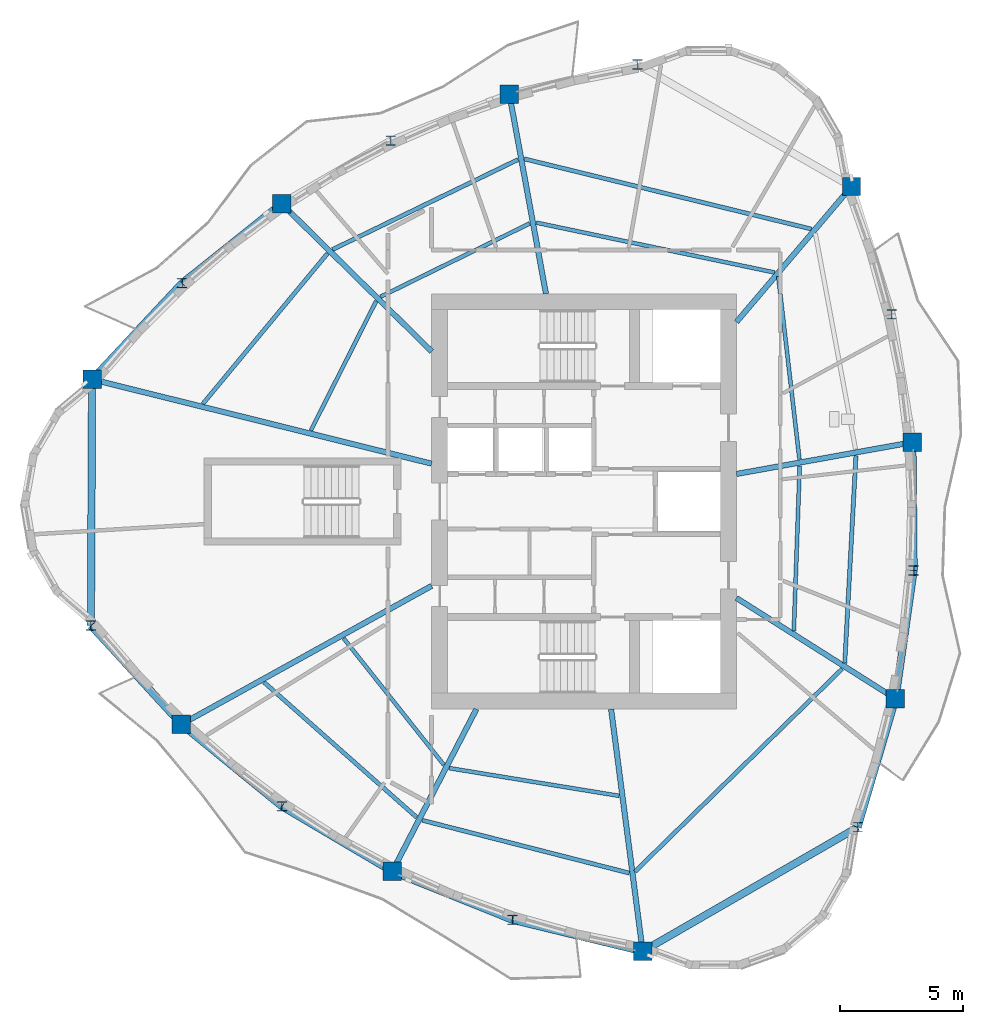
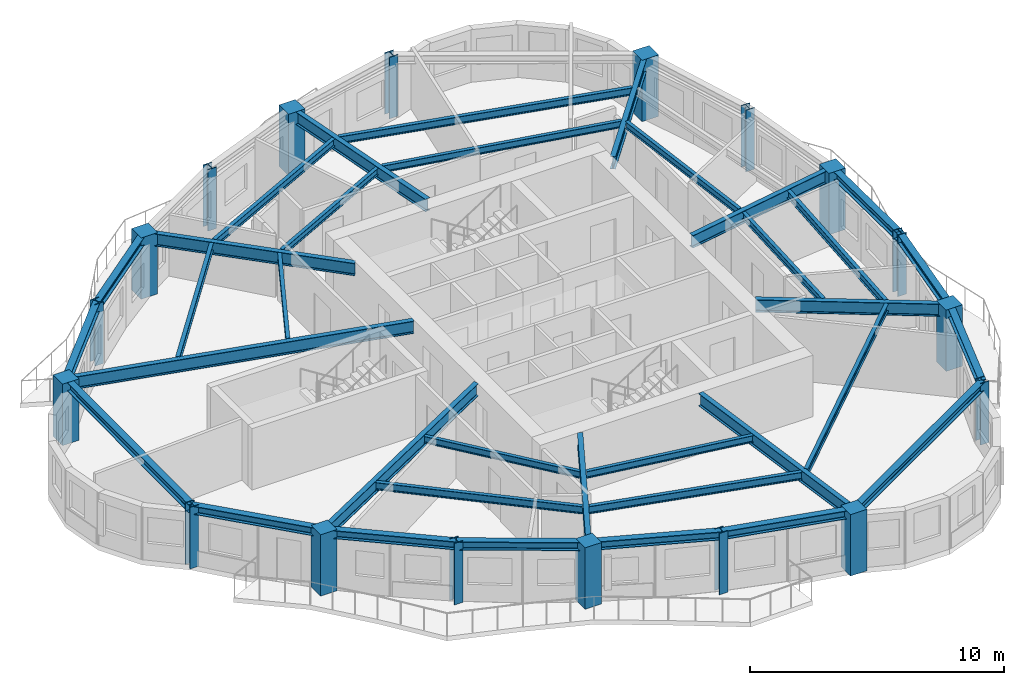
# One storey, part 1 of 12: 35 beams, 18 columns.
"""IFC4 building model written with IfcOpenShell, lengths in metres."""

from ifc_helpers import new_model, si_unit, direction, frame, origin, origin_2d, place, context, subcontext, project, spatial, rectangle, i_section, extrude, source, transform, mapped, material, material_profile, profile_set, type_object, element, save


model = new_model("IFC4")

# Units and contexts
model_context = context("Model", 3, precision=1e-05, world=origin(), true_north=direction((0.0, 1.0)))
body_context = subcontext(model_context, "Body", "Model", "MODEL_VIEW")
ifc_project = project(units=[si_unit("LENGTHUNIT", "METRE"), si_unit("AREAUNIT", "SQUARE_METRE"), si_unit("VOLUMEUNIT", "CUBIC_METRE"), si_unit("PLANEANGLEUNIT", "RADIAN"), si_unit("MASSUNIT", "GRAM", prefix="KILO")], contexts=[model_context])

# Site, building, storey
site_placement = place(None, origin())
site = spatial("IfcSite", under=ifc_project, at=site_placement, CompositionType="ELEMENT")
building_placement = place(site_placement, origin())
building = spatial("IfcBuilding", under=site, at=building_placement, Name="Qafzar Sky-Pleat Residences", CompositionType="ELEMENT")
storey_placement = place(building_placement, frame((0.0, 0.0, 181.0)))
storey = spatial("IfcBuildingStorey", under=building, at=storey_placement, Name="L54", CompositionType="ELEMENT", Elevation=181.0)

# Columns
ifc_material_1 = material(Name="Concrete C60/75", Category="concrete")
ifc_material_profile_1 = material_profile(ifc_material_1, rectangle(XDim=0.75, YDim=0.75, at=origin_2d()), Name="RC 750x750")
ifc_profile_set_1 = profile_set([ifc_material_profile_1], Name="Concrete C60/75")
column_type_1 = type_object("IfcColumnType", Name="COL-RC-750", PredefinedType="COLUMN", material=ifc_profile_set_1)
shared_shape_1 = source(origin(), body_context, "Body", "SweptSolid", [
    extrude(rectangle(XDim=0.75, YDim=0.75, at=origin_2d()), origin(), (0.0, 0.0, 1.0), 2.949951171875),
])
for number, where, z_axis, x_axis, name in (
    (1, (10.338134765625, 30.967041015625, 0.0), (0.0, 0.0, 1.0), (1.0, 0.0, 0.0), "L54 Perimeter Mega Column 1"),
    (2, (13.97265625, 16.934814453125, 0.0), (0.0, 0.0, 1.0), (1.0, 0.0, 0.0), "L54 Perimeter Mega Column 3"),
    (3, (22.547607421875, 10.951904296875, 0.0), (0.0, 0.0, 1.0), (1.0, 0.0, 0.0), "L54 Perimeter Mega Column 5"),
    (4, (32.734130859375, 7.698486328125, 0.0), (0.0, 0.0, 1.0), (1.0, 0.0, 0.0), "L54 Perimeter Mega Column 7"),
    (5, (43.0166015625, 17.977294921875, 0.0), (0.0, 0.0, 1.0), (1.0, 0.0, 0.0), "L54 Perimeter Mega Column 9"),
    (6, (43.70751953125, 28.410400390625, 0.0), (0.0, 0.0, 1.0), (1.0, 0.0, 0.0), "L54 Perimeter Mega Column 11"),
    (7, (41.22900390625, 38.8125, 0.0), (0.0, 0.0, 1.0), (1.0, 0.0, 0.0), "L54 Perimeter Mega Column 13"),
    (8, (27.312255859375, 42.56591796875, 0.0), (0.0, 0.0, 1.0), (1.0, 0.0, 0.0), "L54 Perimeter Mega Column 15"),
    (9, (18.046142578125, 38.11572265625, 0.0), (0.0, 0.0, 1.0), (1.0, 0.0, 0.0), "L54 Perimeter Mega Column 17"),
):
    element("IfcColumn", number, at=place(storey_placement, frame(where, z_axis=z_axis, x_axis=x_axis)), inside=storey, type_object=column_type_1, Name=name, PredefinedType="COLUMN", context=body_context, shape_type="MappedRepresentation", body=[
        mapped(shared_shape_1, transform((0.0, 0.0, 0.0), x_axis=(1.0, 0.0, 0.0), y_axis=(0.0, 1.0, 0.0), z_axis=(0.0, 0.0, 1.0), scale=1.0)),
    ])
ifc_material_2 = material(Name="Steel S355", Category="steel")
ifc_material_profile_2 = material_profile(ifc_material_2, i_section(OverallWidth=0.40087890625, OverallDepth=0.39892578125, WebThickness=0.02294921875, FlangeThickness=0.035888671875, FilletRadius=0.014892578125, at=origin_2d()), Name="HD 400x314")
ifc_profile_set_2 = profile_set([ifc_material_profile_2], Name="Steel S355")
column_type_2 = type_object("IfcColumnType", Name="COL-STL-HD314", PredefinedType="PILASTER", material=ifc_profile_set_2)
shared_shape_2 = source(origin(), body_context, "Body", "SweptSolid", [
    extrude(i_section(OverallWidth=0.40087890625, OverallDepth=0.39892578125, WebThickness=0.02294921875, FlangeThickness=0.035888671875, FilletRadius=0.014892578125, at=origin_2d()), origin(), (0.0, 0.0, 1.0), 2.949951171875),
])
for number, where, z_axis, x_axis, name in (
    (10, (10.289306640625, 20.94970703125, 0.0), (0.0, 0.0, 1.0), (1.0, 0.0, 0.0), "L54 Perimeter Mega Column 2"),
    (11, (18.058837890625, 13.60205078125, 0.0), (0.0, 0.0, 1.0), (1.0, 0.0, 0.0), "L54 Perimeter Mega Column 4"),
    (12, (27.439453125, 8.98388671875, 0.0), (0.0, 0.0, 1.0), (1.0, 0.0, 0.0), "L54 Perimeter Mega Column 6"),
    (13, (41.482666015625, 12.749267578125, 0.0), (0.0, 0.0, 1.0), (1.0, 0.0, 0.0), "L54 Perimeter Mega Column 8"),
    (14, (43.75830078125, 23.19775390625, 0.0), (0.0, 0.0, 1.0), (1.0, 0.0, 0.0), "L54 Perimeter Mega Column 10"),
    (15, (42.864501953125, 33.615478515625, 0.0), (0.0, 0.0, 1.0), (1.0, 0.0, 0.0), "L54 Perimeter Mega Column 12"),
    (16, (32.529296875, 43.779052734375, 0.0), (0.0, 0.0, 1.0), (1.0, 0.0, 0.0), "L54 Perimeter Mega Column 14"),
    (17, (22.484375, 40.677978515625, 0.0), (0.0, 0.0, 1.0), (1.0, 0.0, 0.0), "L54 Perimeter Mega Column 16"),
    (18, (13.997314453125, 34.878662109375, 0.0), (0.0, 0.0, 1.0), (1.0, 0.0, 0.0), "L54 Perimeter Mega Column 18"),
):
    element("IfcColumn", number, at=place(storey_placement, frame(where, z_axis=z_axis, x_axis=x_axis)), inside=storey, type_object=column_type_2, Name=name, PredefinedType="PILASTER", context=body_context, shape_type="MappedRepresentation", body=[
        mapped(shared_shape_2, transform((0.0, 0.0, 0.0), x_axis=(1.0, 0.0, 0.0), y_axis=(0.0, 1.0, 0.0), z_axis=(0.0, 0.0, 1.0), scale=1.0)),
    ])

# Beams
ifc_material_profile_3 = material_profile(ifc_material_2, i_section(OverallWidth=0.159912109375, OverallDepth=0.330078125, WebThickness=0.007568359375, FlangeThickness=0.011474609375, FilletRadius=0.01806640625, at=origin_2d()), Name="IPE 330")
ifc_profile_set_3 = profile_set([ifc_material_profile_3], Name="Steel S355")
beam_type_1 = type_object("IfcBeamType", Name="BM-JST-IPE330", PredefinedType="JOIST", material=ifc_profile_set_3)
shared_shape_3 = source(origin(), body_context, "Body", "SweptSolid", [
    extrude(i_section(OverallWidth=0.159912109375, OverallDepth=0.330078125, WebThickness=0.007568359375, FlangeThickness=0.011474609375, FilletRadius=0.01806640625, at=origin_2d()), origin(), (0.0, 0.0, 1.0), 9.91552734375),
])
beam_1_placement = place(storey_placement, frame((38.102294921875, 35.3134765625, 2.782958984375), z_axis=(-0.978807385502, 0.204783061032, 0.0), x_axis=(-0.204783061032, -0.978807385502, 0.0)))
element("IfcBeam", 19, at=beam_1_placement, inside=storey, type_object=beam_type_1, Name="L54 Inner Secondary Floor Joist 7", PredefinedType="JOIST", context=body_context, shape_type="MappedRepresentation", body=[
    mapped(shared_shape_3, transform((0.0, 0.0, 0.0), x_axis=(1.0, 0.0, 0.0), y_axis=(0.0, 1.0, 0.0), z_axis=(0.0, 0.0, 1.0), scale=1.0)),
])
ifc_material_profile_4 = material_profile(ifc_material_2, i_section(OverallWidth=0.300048828125, OverallDepth=0.39990234375, WebThickness=0.013427734375, FlangeThickness=0.02392578125, FilletRadius=0.027099609375, at=origin_2d()), Name="HEB 400")
ifc_profile_set_4 = profile_set([ifc_material_profile_4], Name="Steel S355")
beam_type_2 = type_object("IfcBeamType", Name="BM-SPAN-HEB400", PredefinedType="SPANDREL", material=ifc_profile_set_4)
shared_shape_4 = source(origin(), body_context, "Body", "SweptSolid", [
    extrude(i_section(OverallWidth=0.300048828125, OverallDepth=0.39990234375, WebThickness=0.013427734375, FlangeThickness=0.02392578125, FilletRadius=0.027099609375, at=origin_2d()), origin(), (0.0, 0.0, 1.0), 10.017333984375),
])
beam_2_placement = place(storey_placement, frame((10.338134765625, 30.967041015625, 2.748046875), z_axis=(-0.004874305381, -0.999988120503, 0.0), x_axis=(0.999988120503, -0.004874305381, 0.0)))
element("IfcBeam", 20, at=beam_2_placement, inside=storey, type_object=beam_type_2, Name="L54 Perimeter Spandrel Beam 1", PredefinedType="SPANDREL", context=body_context, shape_type="MappedRepresentation", body=[
    mapped(shared_shape_4, transform((0.0, 0.0, 0.0), x_axis=(1.0, 0.0, 0.0), y_axis=(0.0, 1.0, 0.0), z_axis=(0.0, 0.0, 1.0), scale=1.0)),
])
shared_shape_5 = source(origin(), body_context, "Body", "SweptSolid", [
    extrude(i_section(OverallWidth=0.300048828125, OverallDepth=0.39990234375, WebThickness=0.013427734375, FlangeThickness=0.02392578125, FilletRadius=0.027099609375, at=origin_2d()), origin(), (0.0, 0.0, 1.0), 5.448486328125),
])
for number, where, z_axis, x_axis, name in (
    (21, (10.289306640625, 20.94970703125, 2.748046875), (0.67602690272, -0.736876941422, 0.0), (0.736876941422, 0.67602690272, 0.0), "L54 Perimeter Spandrel Beam 2"),
    (22, (27.439453125, 8.98388671875, 2.748046875), (0.971772638207, -0.235919349848, 0.0), (0.235919349848, 0.971772638207, 0.0), "L54 Perimeter Spandrel Beam 6"),
    (23, (41.482666015625, 12.749267578125, 2.748046875), (0.281537931885, 0.959550099218, 0.0), (-0.959550099218, 0.281537931885, 0.0), "L54 Perimeter Spandrel Beam 8"),
):
    element("IfcBeam", number, at=place(storey_placement, frame(where, z_axis=z_axis, x_axis=x_axis)), inside=storey, type_object=beam_type_2, Name=name, PredefinedType="SPANDREL", context=body_context, shape_type="MappedRepresentation", body=[
        mapped(shared_shape_5, transform((0.0, 0.0, 0.0), x_axis=(1.0, 0.0, 0.0), y_axis=(0.0, 1.0, 0.0), z_axis=(0.0, 0.0, 1.0), scale=1.0)),
    ])
shared_shape_6 = source(origin(), body_context, "Body", "SweptSolid", [
    extrude(i_section(OverallWidth=0.300048828125, OverallDepth=0.39990234375, WebThickness=0.013427734375, FlangeThickness=0.02392578125, FilletRadius=0.027099609375, at=origin_2d()), origin(), (0.0, 0.0, 1.0), 5.27294921875),
])
for number, where, z_axis, x_axis, name in (
    (24, (13.97265625, 16.934814453125, 2.748046875), (0.774930068273, -0.632046983449, 0.0), (0.632046983449, 0.774930068273, 0.0), "L54 Perimeter Spandrel Beam 3"),
    (25, (22.547607421875, 10.951904296875, 2.748046875), (0.927737233532, -0.373234009058, 0.0), (0.373234009058, 0.927737233532, 0.0), "L54 Perimeter Spandrel Beam 5"),
    (26, (43.0166015625, 17.977294921875, 2.748046875), (0.140662901854, 0.990057547844, 0.0), (-0.990057547844, 0.140662901854, 0.0), "L54 Perimeter Spandrel Beam 9"),
):
    element("IfcBeam", number, at=place(storey_placement, frame(where, z_axis=z_axis, x_axis=x_axis)), inside=storey, type_object=beam_type_2, Name=name, PredefinedType="SPANDREL", context=body_context, shape_type="MappedRepresentation", body=[
        mapped(shared_shape_6, transform((0.0, 0.0, 0.0), x_axis=(1.0, 0.0, 0.0), y_axis=(0.0, 1.0, 0.0), z_axis=(0.0, 0.0, 1.0), scale=1.0)),
    ])
shared_shape_7 = source(origin(), body_context, "Body", "SweptSolid", [
    extrude(i_section(OverallWidth=0.300048828125, OverallDepth=0.39990234375, WebThickness=0.013427734375, FlangeThickness=0.02392578125, FilletRadius=0.027099609375, at=origin_2d()), origin(), (0.0, 0.0, 1.0), 5.212646484375),
])
beam_3_placement = place(storey_placement, frame((18.058837890625, 13.60205078125, 2.748046875), z_axis=(0.861120406877, -0.508401066934, 0.0), x_axis=(0.508401066934, 0.861120406877, 0.0)))
element("IfcBeam", 27, at=beam_3_placement, inside=storey, type_object=beam_type_2, Name="L54 Perimeter Spandrel Beam 4", PredefinedType="SPANDREL", context=body_context, shape_type="MappedRepresentation", body=[
    mapped(shared_shape_7, transform((0.0, 0.0, 0.0), x_axis=(1.0, 0.0, 0.0), y_axis=(0.0, 1.0, 0.0), z_axis=(0.0, 0.0, 1.0), scale=1.0)),
])
shared_shape_8 = source(origin(), body_context, "Body", "SweptSolid", [
    extrude(i_section(OverallWidth=0.300048828125, OverallDepth=0.39990234375, WebThickness=0.013427734375, FlangeThickness=0.02392578125, FilletRadius=0.027099609375, at=origin_2d()), origin(), (0.0, 0.0, 1.0), 10.101806640625),
])
beam_4_placement = place(storey_placement, frame((32.734130859375, 7.698486328125, 2.748046875), z_axis=(0.866033456987, 0.499986051185, 0.0), x_axis=(-0.499986051185, 0.866033456987, 0.0)))
element("IfcBeam", 28, at=beam_4_placement, inside=storey, type_object=beam_type_2, Name="L54 Perimeter Spandrel Beam 7", PredefinedType="SPANDREL", context=body_context, shape_type="MappedRepresentation", body=[
    mapped(shared_shape_8, transform((0.0, 0.0, 0.0), x_axis=(1.0, 0.0, 0.0), y_axis=(0.0, 1.0, 0.0), z_axis=(0.0, 0.0, 1.0), scale=1.0)),
])
shared_shape_9 = source(origin(), body_context, "Body", "SweptSolid", [
    extrude(i_section(OverallWidth=0.300048828125, OverallDepth=0.39990234375, WebThickness=0.013427734375, FlangeThickness=0.02392578125, FilletRadius=0.027099609375, at=origin_2d()), origin(), (0.0, 0.0, 1.0), 5.212890625),
])
beam_5_placement = place(storey_placement, frame((43.75830078125, 23.19775390625, 2.748046875), z_axis=(-0.009741470215, 0.999952550753, 0.0), x_axis=(-0.999952550753, -0.009741470215, 0.0)))
element("IfcBeam", 29, at=beam_5_placement, inside=storey, type_object=beam_type_2, Name="L54 Perimeter Spandrel Beam 10", PredefinedType="SPANDREL", context=body_context, shape_type="MappedRepresentation", body=[
    mapped(shared_shape_9, transform((0.0, 0.0, 0.0), x_axis=(1.0, 0.0, 0.0), y_axis=(0.0, 1.0, 0.0), z_axis=(0.0, 0.0, 1.0), scale=1.0)),
])
shared_shape_10 = source(origin(), body_context, "Body", "SweptSolid", [
    extrude(i_section(OverallWidth=0.300048828125, OverallDepth=0.39990234375, WebThickness=0.013427734375, FlangeThickness=0.02392578125, FilletRadius=0.027099609375, at=origin_2d()), origin(), (0.0, 0.0, 1.0), 5.183837890625),
])
beam_6_placement = place(storey_placement, frame((18.046142578125, 38.11572265625, 2.748046875), z_axis=(-0.78105716206, -0.624459533994, 0.0), x_axis=(0.624459533994, -0.78105716206, 0.0)))
element("IfcBeam", 30, at=beam_6_placement, inside=storey, type_object=beam_type_2, Name="L54 Perimeter Spandrel Beam 17", PredefinedType="SPANDREL", context=body_context, shape_type="MappedRepresentation", body=[
    mapped(shared_shape_10, transform((0.0, 0.0, 0.0), x_axis=(1.0, 0.0, 0.0), y_axis=(0.0, 1.0, 0.0), z_axis=(0.0, 0.0, 1.0), scale=1.0)),
])
shared_shape_11 = source(origin(), body_context, "Body", "SweptSolid", [
    extrude(i_section(OverallWidth=0.300048828125, OverallDepth=0.39990234375, WebThickness=0.013427734375, FlangeThickness=0.02392578125, FilletRadius=0.027099609375, at=origin_2d()), origin(), (0.0, 0.0, 1.0), 5.3564453125),
])
beam_7_placement = place(storey_placement, frame((13.997314453125, 34.878662109375, 2.748046875), z_axis=(-0.683149287603, -0.730278748731, 0.0), x_axis=(0.730278748731, -0.683149287603, 0.0)))
element("IfcBeam", 31, at=beam_7_placement, inside=storey, type_object=beam_type_2, Name="L54 Perimeter Spandrel Beam 18", PredefinedType="SPANDREL", context=body_context, shape_type="MappedRepresentation", body=[
    mapped(shared_shape_11, transform((0.0, 0.0, 0.0), x_axis=(1.0, 0.0, 0.0), y_axis=(0.0, 1.0, 0.0), z_axis=(0.0, 0.0, 1.0), scale=1.0)),
])
ifc_material_profile_5 = material_profile(ifc_material_2, i_section(OverallWidth=0.219970703125, OverallDepth=0.60009765625, WebThickness=0.011962890625, FlangeThickness=0.01904296875, FilletRadius=0.02392578125, at=origin_2d()), Name="IPE 600")
ifc_profile_set_5 = profile_set([ifc_material_profile_5], Name="Steel S355")
beam_type_3 = type_object("IfcBeamType", Name="BM-SEC-IPE600", PredefinedType="BEAM", material=ifc_profile_set_5)
shared_shape_12 = source(origin(), body_context, "Body", "SweptSolid", [
    extrude(i_section(OverallWidth=0.219970703125, OverallDepth=0.60009765625, WebThickness=0.011962890625, FlangeThickness=0.01904296875, FilletRadius=0.02392578125, at=origin_2d()), origin(), (0.0, 0.0, 1.0), 14.23095703125),
])
beam_8_placement = place(storey_placement, frame((10.338134765625, 30.967041015625, 2.64794921875), z_axis=(0.970549832167, -0.240900442672, 0.0), x_axis=(0.240900442672, 0.970549832167, 0.0)))
element("IfcBeam", 32, at=beam_8_placement, inside=storey, type_object=beam_type_3, Name="L54 Radial Floor Girder 1", PredefinedType="BEAM", context=body_context, shape_type="MappedRepresentation", body=[
    mapped(shared_shape_12, transform((0.0, 0.0, 0.0), x_axis=(1.0, 0.0, 0.0), y_axis=(0.0, 1.0, 0.0), z_axis=(0.0, 0.0, 1.0), scale=1.0)),
])
shared_shape_13 = source(origin(), body_context, "Body", "SweptSolid", [
    extrude(i_section(OverallWidth=0.219970703125, OverallDepth=0.60009765625, WebThickness=0.011962890625, FlangeThickness=0.01904296875, FilletRadius=0.02392578125, at=origin_2d()), origin(), (0.0, 0.0, 1.0), 11.63232421875),
])
beam_9_placement = place(storey_placement, frame((13.97265625, 16.934814453125, 2.64794921875), z_axis=(0.874912581808, 0.484280883573, 0.0), x_axis=(-0.484280883573, 0.874912581808, 0.0)))
element("IfcBeam", 33, at=beam_9_placement, inside=storey, type_object=beam_type_3, Name="L54 Radial Floor Girder 3", PredefinedType="BEAM", context=body_context, shape_type="MappedRepresentation", body=[
    mapped(shared_shape_13, transform((0.0, 0.0, 0.0), x_axis=(1.0, 0.0, 0.0), y_axis=(0.0, 1.0, 0.0), z_axis=(0.0, 0.0, 1.0), scale=1.0)),
])
shared_shape_14 = source(origin(), body_context, "Body", "SweptSolid", [
    extrude(i_section(OverallWidth=0.219970703125, OverallDepth=0.60009765625, WebThickness=0.011962890625, FlangeThickness=0.01904296875, FilletRadius=0.02392578125, at=origin_2d()), origin(), (0.0, 0.0, 1.0), 7.432373046875),
])
beam_10_placement = place(storey_placement, frame((22.547607421875, 10.951904296875, 2.64794921875), z_axis=(0.460304699772, 0.887760994507, 0.0), x_axis=(-0.887760994507, 0.460304699772, 0.0)))
element("IfcBeam", 34, at=beam_10_placement, inside=storey, type_object=beam_type_3, Name="L54 Radial Floor Girder 5", PredefinedType="BEAM", context=body_context, shape_type="MappedRepresentation", body=[
    mapped(shared_shape_14, transform((0.0, 0.0, 0.0), x_axis=(1.0, 0.0, 0.0), y_axis=(0.0, 1.0, 0.0), z_axis=(0.0, 0.0, 1.0), scale=1.0)),
])
shared_shape_15 = source(origin(), body_context, "Body", "SweptSolid", [
    extrude(i_section(OverallWidth=0.219970703125, OverallDepth=0.60009765625, WebThickness=0.011962890625, FlangeThickness=0.01904296875, FilletRadius=0.02392578125, at=origin_2d()), origin(), (0.0, 0.0, 1.0), 9.934814453125),
])
beam_11_placement = place(storey_placement, frame((32.734130859375, 7.698486328125, 2.64794921875), z_axis=(-0.129186849577, 0.991620269002, 0.0), x_axis=(-0.991620269002, -0.129186849577, 0.0)))
element("IfcBeam", 35, at=beam_11_placement, inside=storey, type_object=beam_type_3, Name="L54 Radial Floor Girder 7", PredefinedType="BEAM", context=body_context, shape_type="MappedRepresentation", body=[
    mapped(shared_shape_15, transform((0.0, 0.0, 0.0), x_axis=(1.0, 0.0, 0.0), y_axis=(0.0, 1.0, 0.0), z_axis=(0.0, 0.0, 1.0), scale=1.0)),
])
shared_shape_16 = source(origin(), body_context, "Body", "SweptSolid", [
    extrude(i_section(OverallWidth=0.219970703125, OverallDepth=0.60009765625, WebThickness=0.011962890625, FlangeThickness=0.01904296875, FilletRadius=0.02392578125, at=origin_2d()), origin(), (0.0, 0.0, 1.0), 7.654541015625),
])
beam_12_placement = place(storey_placement, frame((43.0166015625, 17.977294921875, 2.64794921875), z_axis=(-0.844806099733, 0.535072568774, 0.0), x_axis=(-0.535072568774, -0.844806099733, 0.0)))
element("IfcBeam", 36, at=beam_12_placement, inside=storey, type_object=beam_type_3, Name="L54 Radial Floor Girder 9", PredefinedType="BEAM", context=body_context, shape_type="MappedRepresentation", body=[
    mapped(shared_shape_16, transform((0.0, 0.0, 0.0), x_axis=(1.0, 0.0, 0.0), y_axis=(0.0, 1.0, 0.0), z_axis=(0.0, 0.0, 1.0), scale=1.0)),
])
shared_shape_17 = source(origin(), body_context, "Body", "SweptSolid", [
    extrude(i_section(OverallWidth=0.219970703125, OverallDepth=0.60009765625, WebThickness=0.011962890625, FlangeThickness=0.01904296875, FilletRadius=0.02392578125, at=origin_2d()), origin(), (0.0, 0.0, 1.0), 7.27294921875),
])
beam_13_placement = place(storey_placement, frame((43.70751953125, 28.410400390625, 2.64794921875), z_axis=(-0.984107501628, -0.177573717761, 0.0), x_axis=(0.177573717761, -0.984107501628, 0.0)))
element("IfcBeam", 37, at=beam_13_placement, inside=storey, type_object=beam_type_3, Name="L54 Radial Floor Girder 11", PredefinedType="BEAM", context=body_context, shape_type="MappedRepresentation", body=[
    mapped(shared_shape_17, transform((0.0, 0.0, 0.0), x_axis=(1.0, 0.0, 0.0), y_axis=(0.0, 1.0, 0.0), z_axis=(0.0, 0.0, 1.0), scale=1.0)),
])
shared_shape_18 = source(origin(), body_context, "Body", "SweptSolid", [
    extrude(i_section(OverallWidth=0.219970703125, OverallDepth=0.60009765625, WebThickness=0.011962890625, FlangeThickness=0.01904296875, FilletRadius=0.02392578125, at=origin_2d()), origin(), (0.0, 0.0, 1.0), 7.22900390625),
])
beam_14_placement = place(storey_placement, frame((41.22900390625, 38.8125, 2.64794921875), z_axis=(-0.64724933582, -0.762278359447, 0.0), x_axis=(0.762278359447, -0.64724933582, 0.0)))
element("IfcBeam", 38, at=beam_14_placement, inside=storey, type_object=beam_type_3, Name="L54 Radial Floor Girder 13", PredefinedType="BEAM", context=body_context, shape_type="MappedRepresentation", body=[
    mapped(shared_shape_18, transform((0.0, 0.0, 0.0), x_axis=(1.0, 0.0, 0.0), y_axis=(0.0, 1.0, 0.0), z_axis=(0.0, 0.0, 1.0), scale=1.0)),
])
shared_shape_19 = source(origin(), body_context, "Body", "SweptSolid", [
    extrude(i_section(OverallWidth=0.219970703125, OverallDepth=0.60009765625, WebThickness=0.011962890625, FlangeThickness=0.01904296875, FilletRadius=0.02392578125, at=origin_2d()), origin(), (0.0, 0.0, 1.0), 8.251220703125),
])
beam_15_placement = place(storey_placement, frame((27.312255859375, 42.56591796875, 2.64794921875), z_axis=(0.180369376393, -0.983598946756, 0.0), x_axis=(0.983598946756, 0.180369376393, 0.0)))
element("IfcBeam", 39, at=beam_15_placement, inside=storey, type_object=beam_type_3, Name="L54 Radial Floor Girder 15", PredefinedType="BEAM", context=body_context, shape_type="MappedRepresentation", body=[
    mapped(shared_shape_19, transform((0.0, 0.0, 0.0), x_axis=(1.0, 0.0, 0.0), y_axis=(0.0, 1.0, 0.0), z_axis=(0.0, 0.0, 1.0), scale=1.0)),
])
shared_shape_20 = source(origin(), body_context, "Body", "SweptSolid", [
    extrude(i_section(OverallWidth=0.219970703125, OverallDepth=0.60009765625, WebThickness=0.011962890625, FlangeThickness=0.01904296875, FilletRadius=0.02392578125, at=origin_2d()), origin(), (0.0, 0.0, 1.0), 8.56640625),
])
beam_16_placement = place(storey_placement, frame((18.046142578125, 38.11572265625, 2.64794921875), z_axis=(0.712529334431, -0.701642321682, 0.0), x_axis=(0.701642321682, 0.712529334431, 0.0)))
element("IfcBeam", 40, at=beam_16_placement, inside=storey, type_object=beam_type_3, Name="L54 Radial Floor Girder 17", PredefinedType="BEAM", context=body_context, shape_type="MappedRepresentation", body=[
    mapped(shared_shape_20, transform((0.0, 0.0, 0.0), x_axis=(1.0, 0.0, 0.0), y_axis=(0.0, 1.0, 0.0), z_axis=(0.0, 0.0, 1.0), scale=1.0)),
])
ifc_material_profile_6 = material_profile(ifc_material_2, i_section(OverallWidth=0.169921875, OverallDepth=0.360107421875, WebThickness=0.008056640625, FlangeThickness=0.0126953125, FilletRadius=0.01806640625, at=origin_2d()), Name="IPE 360")
ifc_profile_set_6 = profile_set([ifc_material_profile_6], Name="Steel S355")
beam_type_4 = type_object("IfcBeamType", Name="BM-JST-IPE360", PredefinedType="JOIST", material=ifc_profile_set_6)
shared_shape_21 = source(origin(), body_context, "Body", "SweptSolid", [
    extrude(i_section(OverallWidth=0.169921875, OverallDepth=0.360107421875, WebThickness=0.008056640625, FlangeThickness=0.0126953125, FilletRadius=0.01806640625, at=origin_2d()), origin(), (0.0, 0.0, 1.0), 8.29296875),
])
beam_17_placement = place(storey_placement, frame((17.33056640625, 18.64794921875, 2.76806640625), z_axis=(0.748919574139, -0.662660902327, 0.0), x_axis=(0.662660902327, 0.748919574139, 0.0)))
element("IfcBeam", 41, at=beam_17_placement, inside=storey, type_object=beam_type_4, Name="L54 Outer Secondary Floor Joist 2", PredefinedType="JOIST", context=body_context, shape_type="MappedRepresentation", body=[
    mapped(shared_shape_21, transform((0.0, 0.0, 0.0), x_axis=(1.0, 0.0, 0.0), y_axis=(0.0, 1.0, 0.0), z_axis=(0.0, 0.0, 1.0), scale=1.0)),
])
shared_shape_22 = source(origin(), body_context, "Body", "SweptSolid", [
    extrude(i_section(OverallWidth=0.169921875, OverallDepth=0.360107421875, WebThickness=0.008056640625, FlangeThickness=0.0126953125, FilletRadius=0.01806640625, at=origin_2d()), origin(), (0.0, 0.0, 1.0), 8.6884765625),
])
beam_18_placement = place(storey_placement, frame((23.773193359375, 13.030029296875, 2.76806640625), z_axis=(0.969024952428, -0.246962834393, 0.0), x_axis=(0.246962834393, 0.969024952428, 0.0)))
element("IfcBeam", 42, at=beam_18_placement, inside=storey, type_object=beam_type_4, Name="L54 Outer Secondary Floor Joist 3", PredefinedType="JOIST", context=body_context, shape_type="MappedRepresentation", body=[
    mapped(shared_shape_22, transform((0.0, 0.0, 0.0), x_axis=(1.0, 0.0, 0.0), y_axis=(0.0, 1.0, 0.0), z_axis=(0.0, 0.0, 1.0), scale=1.0)),
])
shared_shape_23 = source(origin(), body_context, "Body", "SweptSolid", [
    extrude(i_section(OverallWidth=0.169921875, OverallDepth=0.360107421875, WebThickness=0.008056640625, FlangeThickness=0.0126953125, FilletRadius=0.01806640625, at=origin_2d()), origin(), (0.0, 0.0, 1.0), 11.79443359375),
])
beam_19_placement = place(storey_placement, frame((32.419921875, 10.9453125, 2.76806640625), z_axis=(0.714795784642, 0.699333244067, 0.0), x_axis=(-0.699333244067, 0.714795784642, 0.0)))
element("IfcBeam", 43, at=beam_19_placement, inside=storey, type_object=beam_type_4, Name="L54 Outer Secondary Floor Joist 4", PredefinedType="JOIST", context=body_context, shape_type="MappedRepresentation", body=[
    mapped(shared_shape_23, transform((0.0, 0.0, 0.0), x_axis=(1.0, 0.0, 0.0), y_axis=(0.0, 1.0, 0.0), z_axis=(0.0, 0.0, 1.0), scale=1.0)),
])
shared_shape_24 = source(origin(), body_context, "Body", "SweptSolid", [
    extrude(i_section(OverallWidth=0.169921875, OverallDepth=0.360107421875, WebThickness=0.008056640625, FlangeThickness=0.0126953125, FilletRadius=0.01806640625, at=origin_2d()), origin(), (0.0, 0.0, 1.0), 8.45166015625),
])
beam_20_placement = place(storey_placement, frame((40.95458984375, 19.4228515625, 2.76806640625), z_axis=(0.053873281943, 0.998547780275, 0.0), x_axis=(-0.998547780275, 0.053873281943, 0.0)))
element("IfcBeam", 44, at=beam_20_placement, inside=storey, type_object=beam_type_4, Name="L54 Outer Secondary Floor Joist 5", PredefinedType="JOIST", context=body_context, shape_type="MappedRepresentation", body=[
    mapped(shared_shape_24, transform((0.0, 0.0, 0.0), x_axis=(1.0, 0.0, 0.0), y_axis=(0.0, 1.0, 0.0), z_axis=(0.0, 0.0, 1.0), scale=1.0)),
])
shared_shape_25 = source(origin(), body_context, "Body", "SweptSolid", [
    extrude(i_section(OverallWidth=0.169921875, OverallDepth=0.360107421875, WebThickness=0.008056640625, FlangeThickness=0.0126953125, FilletRadius=0.01806640625, at=origin_2d()), origin(), (0.0, 0.0, 1.0), 12.02490234375),
])
beam_21_placement = place(storey_placement, frame((39.6005859375, 37.081298828125, 2.76806640625), z_axis=(-0.971396404704, 0.23746373392, 0.0), x_axis=(-0.23746373392, -0.971396404704, 0.0)))
element("IfcBeam", 45, at=beam_21_placement, inside=storey, type_object=beam_type_4, Name="L54 Outer Secondary Floor Joist 7", PredefinedType="JOIST", context=body_context, shape_type="MappedRepresentation", body=[
    mapped(shared_shape_25, transform((0.0, 0.0, 0.0), x_axis=(1.0, 0.0, 0.0), y_axis=(0.0, 1.0, 0.0), z_axis=(0.0, 0.0, 1.0), scale=1.0)),
])
shared_shape_26 = source(origin(), body_context, "Body", "SweptSolid", [
    extrude(i_section(OverallWidth=0.169921875, OverallDepth=0.360107421875, WebThickness=0.008056640625, FlangeThickness=0.0126953125, FilletRadius=0.01806640625, at=origin_2d()), origin(), (0.0, 0.0, 1.0), 8.38623046875),
])
beam_22_placement = place(storey_placement, frame((27.6669921875, 39.909912109375, 2.76806640625), z_axis=(-0.899816185053, -0.436269220913, 0.0), x_axis=(0.436269220913, -0.899816185053, 0.0)))
element("IfcBeam", 46, at=beam_22_placement, inside=storey, type_object=beam_type_4, Name="L54 Outer Secondary Floor Joist 8", PredefinedType="JOIST", context=body_context, shape_type="MappedRepresentation", body=[
    mapped(shared_shape_26, transform((0.0, 0.0, 0.0), x_axis=(1.0, 0.0, 0.0), y_axis=(0.0, 1.0, 0.0), z_axis=(0.0, 0.0, 1.0), scale=1.0)),
])
shared_shape_27 = source(origin(), body_context, "Body", "SweptSolid", [
    extrude(i_section(OverallWidth=0.169921875, OverallDepth=0.360107421875, WebThickness=0.008056640625, FlangeThickness=0.0126953125, FilletRadius=0.01806640625, at=origin_2d()), origin(), (0.0, 0.0, 1.0), 7.942626953125),
])
beam_23_placement = place(storey_placement, frame((19.913330078125, 36.08837890625, 2.76806640625), z_axis=(-0.638244355263, -0.769833841147, 0.0), x_axis=(0.769833841147, -0.638244355263, 0.0)))
element("IfcBeam", 47, at=beam_23_placement, inside=storey, type_object=beam_type_4, Name="L54 Outer Secondary Floor Joist 9", PredefinedType="JOIST", context=body_context, shape_type="MappedRepresentation", body=[
    mapped(shared_shape_27, transform((0.0, 0.0, 0.0), x_axis=(1.0, 0.0, 0.0), y_axis=(0.0, 1.0, 0.0), z_axis=(0.0, 0.0, 1.0), scale=1.0)),
])
shared_shape_28 = source(origin(), body_context, "Body", "SweptSolid", [
    extrude(i_section(OverallWidth=0.159912109375, OverallDepth=0.330078125, WebThickness=0.007568359375, FlangeThickness=0.011474609375, FilletRadius=0.01806640625, at=origin_2d()), origin(), (0.0, 0.0, 1.0), 6.5751953125),
])
beam_24_placement = place(storey_placement, frame((20.570068359375, 20.434326171875, 2.782958984375), z_axis=(0.620997720675, -0.783812369714, 0.0), x_axis=(0.783812369714, 0.620997720675, 0.0)))
element("IfcBeam", 48, at=beam_24_placement, inside=storey, type_object=beam_type_1, Name="L54 Inner Secondary Floor Joist 2", PredefinedType="JOIST", context=body_context, shape_type="MappedRepresentation", body=[
    mapped(shared_shape_28, transform((0.0, 0.0, 0.0), x_axis=(1.0, 0.0, 0.0), y_axis=(0.0, 1.0, 0.0), z_axis=(0.0, 0.0, 1.0), scale=1.0)),
])
shared_shape_29 = source(origin(), body_context, "Body", "SweptSolid", [
    extrude(i_section(OverallWidth=0.159912109375, OverallDepth=0.330078125, WebThickness=0.007568359375, FlangeThickness=0.011474609375, FilletRadius=0.01806640625, at=origin_2d()), origin(), (0.0, 0.0, 1.0), 7.00048828125),
])
beam_25_placement = place(storey_placement, frame((24.870361328125, 15.15283203125, 2.782958984375), z_axis=(0.98694068918, -0.161084065135, 0.0), x_axis=(0.161084065135, 0.98694068918, 0.0)))
element("IfcBeam", 49, at=beam_25_placement, inside=storey, type_object=beam_type_1, Name="L54 Inner Secondary Floor Joist 3", PredefinedType="JOIST", context=body_context, shape_type="MappedRepresentation", body=[
    mapped(shared_shape_29, transform((0.0, 0.0, 0.0), x_axis=(1.0, 0.0, 0.0), y_axis=(0.0, 1.0, 0.0), z_axis=(0.0, 0.0, 1.0), scale=1.0)),
])
shared_shape_30 = source(origin(), body_context, "Body", "SweptSolid", [
    extrude(i_section(OverallWidth=0.159912109375, OverallDepth=0.330078125, WebThickness=0.007568359375, FlangeThickness=0.011474609375, FilletRadius=0.01806640625, at=origin_2d()), origin(), (0.0, 0.0, 1.0), 6.719482421875),
])
beam_26_placement = place(storey_placement, frame((38.8828125, 20.733642578125, 2.782958984375), z_axis=(0.03556971157, 0.99936719759, 0.0), x_axis=(-0.99936719759, 0.03556971157, 0.0)))
element("IfcBeam", 50, at=beam_26_placement, inside=storey, type_object=beam_type_1, Name="L54 Inner Secondary Floor Joist 5", PredefinedType="JOIST", context=body_context, shape_type="MappedRepresentation", body=[
    mapped(shared_shape_30, transform((0.0, 0.0, 0.0), x_axis=(1.0, 0.0, 0.0), y_axis=(0.0, 1.0, 0.0), z_axis=(0.0, 0.0, 1.0), scale=1.0)),
])
shared_shape_31 = source(origin(), body_context, "Body", "SweptSolid", [
    extrude(i_section(OverallWidth=0.159912109375, OverallDepth=0.330078125, WebThickness=0.007568359375, FlangeThickness=0.011474609375, FilletRadius=0.01806640625, at=origin_2d()), origin(), (0.0, 0.0, 1.0), 7.4833984375),
])
beam_27_placement = place(storey_placement, frame((39.111083984375, 27.718017578125, 2.782958984375), z_axis=(-0.115067411839, 0.993357685193, 0.0), x_axis=(-0.993357685193, -0.115067411839, 0.0)))
element("IfcBeam", 51, at=beam_27_placement, inside=storey, type_object=beam_type_1, Name="L54 Inner Secondary Floor Joist 6", PredefinedType="JOIST", context=body_context, shape_type="MappedRepresentation", body=[
    mapped(shared_shape_31, transform((0.0, 0.0, 0.0), x_axis=(1.0, 0.0, 0.0), y_axis=(0.0, 1.0, 0.0), z_axis=(0.0, 0.0, 1.0), scale=1.0)),
])
shared_shape_32 = source(origin(), body_context, "Body", "SweptSolid", [
    extrude(i_section(OverallWidth=0.159912109375, OverallDepth=0.330078125, WebThickness=0.007568359375, FlangeThickness=0.011474609375, FilletRadius=0.01806640625, at=origin_2d()), origin(), (0.0, 0.0, 1.0), 6.763427734375),
])
beam_28_placement = place(storey_placement, frame((28.1435546875, 37.312255859375, 2.782958984375), z_axis=(-0.897438764367, -0.441139053147, 0.0), x_axis=(0.441139053147, -0.897438764367, 0.0)))
element("IfcBeam", 52, at=beam_28_placement, inside=storey, type_object=beam_type_1, Name="L54 Inner Secondary Floor Joist 8", PredefinedType="JOIST", context=body_context, shape_type="MappedRepresentation", body=[
    mapped(shared_shape_32, transform((0.0, 0.0, 0.0), x_axis=(1.0, 0.0, 0.0), y_axis=(0.0, 1.0, 0.0), z_axis=(0.0, 0.0, 1.0), scale=1.0)),
])
shared_shape_33 = source(origin(), body_context, "Body", "SweptSolid", [
    extrude(i_section(OverallWidth=0.159912109375, OverallDepth=0.330078125, WebThickness=0.007568359375, FlangeThickness=0.011474609375, FilletRadius=0.01806640625, at=origin_2d()), origin(), (0.0, 0.0, 1.0), 5.88671875),
])
beam_29_placement = place(storey_placement, frame((21.891845703125, 34.1484375, 2.782958984375), z_axis=(-0.450727036849, -0.892661827488, 0.0), x_axis=(0.892661827488, -0.450727036849, 0.0)))
element("IfcBeam", 53, at=beam_29_placement, inside=storey, type_object=beam_type_1, Name="L54 Inner Secondary Floor Joist 9", PredefinedType="JOIST", context=body_context, shape_type="MappedRepresentation", body=[
    mapped(shared_shape_33, transform((0.0, 0.0, 0.0), x_axis=(1.0, 0.0, 0.0), y_axis=(0.0, 1.0, 0.0), z_axis=(0.0, 0.0, 1.0), scale=1.0)),
])

save(model, "model.ifc")
